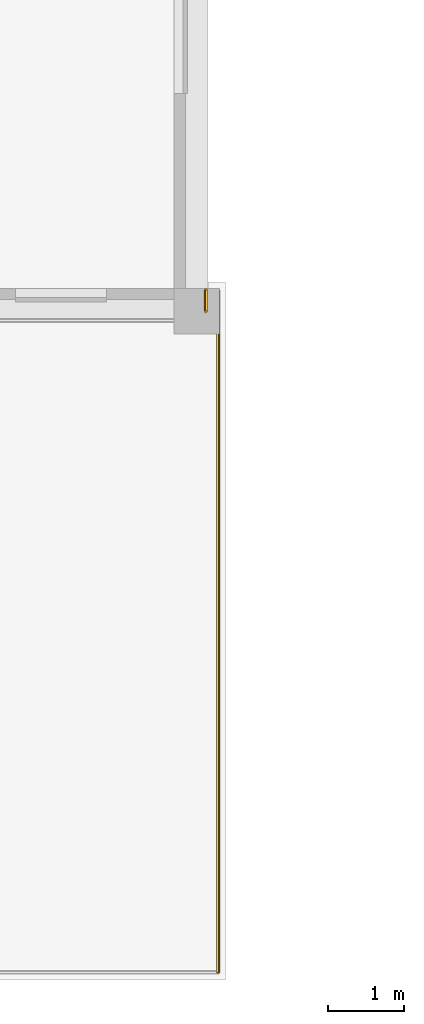
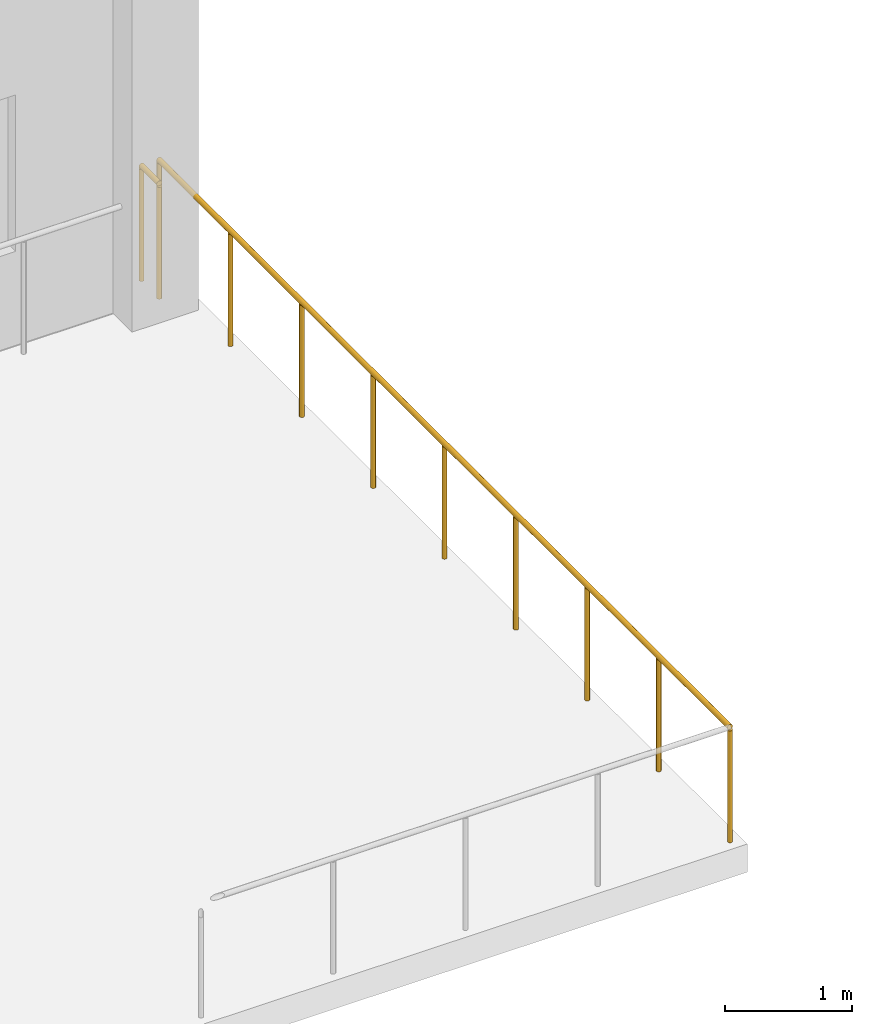
# One storey, part 20 of 25: 2 railings.
"""IFC4 building model written with IfcOpenShell, lengths in metres."""

import ifcopenshell
import ifcopenshell.guid

model = None  # the IFC model being written
_history = None  # IfcOwnerHistory: only IFC2X3 demands one
_inside = {}  # id of a spatial element -> (the spatial element, [elements in it])
_under = {}  # id of a project, library or spatial element -> (it, [spatial elements below it])
_declared = {}  # id of a project -> (the project, [libraries it declares])
_typed = {}  # id of a type object -> (the type object, [elements of that type])
_made_of = {}  # id of a material, layer set ... -> (it, [elements and type objects made of it])


def new_model(schema):
    """Start an empty IFC model of exactly this schema.

    Asked for "IFC4X3", IfcOpenShell would pick the latest addendum, in which some entities
    have other attributes; the version numbers below select the first issue.
    IFC2X3 requires an IfcOwnerHistory on every rooted entity: one is made here for all.
    """
    global model, _history
    if schema == "IFC4X3":
        model = ifcopenshell.file(schema_version=(4, 3, 0, 0))
    else:
        model = ifcopenshell.file(schema=schema)
    _inside.clear()
    _under.clear()
    _declared.clear()
    _typed.clear()
    _made_of.clear()
    _history = None
    if model.schema == "IFC2X3":
        org = make("IfcOrganization", Name="unknown")
        user = make(
            "IfcPersonAndOrganization",
            ThePerson=make("IfcPerson", FamilyName="unknown"),
            TheOrganization=org,
        )
        app = make(
            "IfcApplication",
            ApplicationDeveloper=org,
            Version="unknown",
            ApplicationFullName="unknown",
            ApplicationIdentifier="unknown",
        )
        _history = make(
            "IfcOwnerHistory",
            OwningUser=user,
            OwningApplication=app,
            ChangeAction="ADDED",
            CreationDate=0,
        )
    return model


def make(cls, **values):
    """One entity of the class cls with the attributes given. An attribute that is None is left unset."""
    return model.create_entity(
        cls, **{name: value for name, value in values.items() if value is not None}
    )


def rooted(cls, **values):
    """An entity with a GlobalId (a new one), such as an element, a storey or a relation."""
    return make(cls, GlobalId=ifcopenshell.guid.new(), OwnerHistory=_history, **values)


def si_unit(unit_type, name, prefix=None):
    """IfcSIUnit, for example si_unit("LENGTHUNIT", "METRE", prefix="MILLI")."""
    return make("IfcSIUnit", UnitType=unit_type, Prefix=prefix, Name=name)


def assignment(units):
    """IfcUnitAssignment: the units of a project."""
    return None if units is None else make("IfcUnitAssignment", Units=units)


def point(xyz):
    """IfcCartesianPoint."""
    return None if xyz is None else make("IfcCartesianPoint", Coordinates=xyz)


def direction(xyz):
    """IfcDirection."""
    return None if xyz is None else make("IfcDirection", DirectionRatios=xyz)


def frame(location, z_axis=None, x_axis=None):
    """IfcAxis2Placement3D, a coordinate frame: its origin and axes. An axis left out is left unset."""
    return make(
        "IfcAxis2Placement3D",
        Location=point(location),
        Axis=direction(z_axis),
        RefDirection=direction(x_axis),
    )


def frame_2d(location, x_axis=None):
    """IfcAxis2Placement2D, a coordinate frame in the plane: its origin and x axis."""
    return make(
        "IfcAxis2Placement2D", Location=point(location), RefDirection=direction(x_axis)
    )


def origin():
    """The frame at (0, 0, 0) with its axes left unset."""
    return frame((0.0, 0.0, 0.0))


def origin_2d():
    """The frame at (0, 0) in the plane with its x axis left unset."""
    return frame_2d((0.0, 0.0))


def place(relative_to, where):
    """IfcLocalPlacement: puts the frame where relative to a parent placement (None: the world)."""
    return make(
        "IfcLocalPlacement", PlacementRelTo=relative_to, RelativePlacement=where
    )


def context(
    kind, dimensions, precision=None, world=None, true_north=None, identifier=None
):
    """IfcGeometricRepresentationContext, for example the 3D "Model" context."""
    return make(
        "IfcGeometricRepresentationContext",
        ContextIdentifier=identifier,
        ContextType=kind,
        CoordinateSpaceDimension=dimensions,
        Precision=precision,
        WorldCoordinateSystem=world,
        TrueNorth=true_north,
    )


def subcontext(parent, identifier, kind, view, scale=None):
    """IfcGeometricRepresentationSubContext, for example "Body" below "Model"."""
    return make(
        "IfcGeometricRepresentationSubContext",
        ContextIdentifier=identifier,
        ContextType=kind,
        ParentContext=parent,
        TargetScale=scale,
        TargetView=view,
    )


def project(units=None, contexts=None):
    """IfcProject with its units and contexts."""
    return rooted(
        "IfcProject",
        Name="project",
        RepresentationContexts=contexts,
        UnitsInContext=assignment(units),
    )


def spatial(cls, under=None, at=None, **own):
    """A site, building, storey or space (cls), placed at a placement, below another one or the project."""
    s = rooted(cls, ObjectPlacement=at, **own)
    if under is not None:
        _under.setdefault(under.id(), (under, []))[1].append(s)
    return s


def profile(cls, at=None, kind="AREA", **sizes):
    """A parametric profile (cls). Its sizes go by their IFC names, for example OverallWidth=200.0."""
    return make(cls, ProfileType=kind, Position=at, **sizes)


def circle(**sizes):
    """IfcCircleProfileDef."""
    return profile("IfcCircleProfileDef", **sizes)


def extrude(swept, where, along, depth):
    """IfcExtrudedAreaSolid: the profile swept, set in the frame where, extruded along a direction by depth."""
    return make(
        "IfcExtrudedAreaSolid",
        SweptArea=swept,
        Position=where,
        ExtrudedDirection=direction(along),
        Depth=depth,
    )


def shape(context_of_items, identifier, shape_type, items):
    """IfcShapeRepresentation: the items that make up one representation, for example the "Body"."""
    return make(
        "IfcShapeRepresentation",
        ContextOfItems=context_of_items,
        RepresentationIdentifier=identifier,
        RepresentationType=shape_type,
        Items=items,
    )


def material(Name=None, Category=None):
    """IfcMaterial."""
    return make("IfcMaterial", Name=Name, Category=Category)


def layer(
    of_material, thickness, ventilated=None, Name=None, Category=None, Priority=None
):
    """IfcMaterialLayer: one layer of a wall or slab, of a material (None: an air gap)."""
    return make(
        "IfcMaterialLayer",
        Material=of_material,
        LayerThickness=thickness,
        IsVentilated=ventilated,
        Name=Name,
        Category=Category,
        Priority=Priority,
    )


def layer_set(layers, Name=None):
    """IfcMaterialLayerSet."""
    return make("IfcMaterialLayerSet", MaterialLayers=layers, LayerSetName=Name)


def made_of(thing, what):
    """Note that an element or type object is made of a material, layer set ...; save() writes the relation."""
    if what is not None:
        _made_of.setdefault(what.id(), (what, []))[1].append(thing)
    return thing


def type_object(cls, material=None, **own):
    """A type object (cls), such as IfcWallType, which elements share."""
    return made_of(rooted(cls, **own), material)


def element(
    cls,
    number,
    at=None,
    inside=None,
    cuts=None,
    type_object=None,
    material=None,
    context=None,
    identifier="Body",
    shape_type=None,
    held_by="IfcProductDefinitionShape",
    body=None,
    shapes=None,
    **own,
):
    """One element of the class cls, such as IfcWall. Its Tag is "e" and its number.

    at: its placement. inside: the storey or other place that contains it. cuts: it is an
    opening in that element (IfcRelVoidsElement). A single representation is given by context,
    identifier, shape_type and body (its items); several are given by shapes. held_by: the class
    of the entity that holds the representations. save() writes the other relations.
    """
    e = rooted(cls, Tag="e%d" % number, ObjectPlacement=at, **own)
    if body is not None:
        shapes = [shape(context, identifier, shape_type, body)]
    if shapes is not None:
        e.Representation = make(held_by, Representations=shapes)
    if inside is not None:
        _inside.setdefault(inside.id(), (inside, []))[1].append(e)
    if cuts is not None:
        rooted(
            "IfcRelVoidsElement", RelatingBuildingElement=cuts, RelatedOpeningElement=e
        )
    if type_object is not None:
        _typed.setdefault(type_object.id(), (type_object, []))[1].append(e)
    return made_of(e, material)


def aggregate(whole, parts):
    """IfcRelAggregates: a whole, such as a stair, and the parts it consists of."""
    return rooted("IfcRelAggregates", RelatingObject=whole, RelatedObjects=parts)


def save(model, path):
    """Write the relations noted so far, then the file.

    IfcRelAggregates (storeys below a building ...), IfcRelContainedInSpatialStructure (elements
    in a storey), IfcRelDefinesByType, IfcRelAssociatesMaterial and IfcRelDeclares: one each for
    every whole, place, type object, material and project.
    """
    for whole, parts in _under.values():
        aggregate(whole, parts)
    for where, things in _inside.values():
        rooted(
            "IfcRelContainedInSpatialStructure",
            RelatedElements=things,
            RelatingStructure=where,
        )
    for kind, things in _typed.values():
        rooted("IfcRelDefinesByType", RelatedObjects=things, RelatingType=kind)
    for what, things in _made_of.values():
        rooted("IfcRelAssociatesMaterial", RelatedObjects=things, RelatingMaterial=what)
    for by, libraries in _declared.values():
        rooted("IfcRelDeclares", RelatingContext=by, RelatedDefinitions=libraries)
    model.write(path)


model = new_model("IFC4")

# Units and contexts
model_context = context("Model", 3, precision=1e-05, world=origin(), true_north=direction((0.0, 1.0)))
body_context = subcontext(model_context, "Body", "Model", "MODEL_VIEW")
ifc_project = project(units=[si_unit("LENGTHUNIT", "METRE"), si_unit("AREAUNIT", "SQUARE_METRE"), si_unit("VOLUMEUNIT", "CUBIC_METRE"), si_unit("PLANEANGLEUNIT", "RADIAN"), si_unit("MASSUNIT", "GRAM", prefix="KILO")], contexts=[model_context])

# Site, building, storey
site_placement = place(None, origin())
site = spatial("IfcSite", under=ifc_project, at=site_placement, CompositionType="ELEMENT")
building_placement = place(site_placement, origin())
building = spatial("IfcBuilding", under=site, at=building_placement, Name="Kolvaren Faculty of Natural Sciences", CompositionType="ELEMENT")
storey_placement = place(building_placement, frame((0.0, 0.0, 19.5)))
storey = spatial("IfcBuildingStorey", under=building, at=storey_placement, Name="L04", CompositionType="ELEMENT", Elevation=19.5)

# Railings
ifc_material = material(Name="Structural steel EN 10210-1 S355J2H", Category="steel")
ifc_layer = layer(ifc_material, 0.048095703125)
ifc_layer_set = layer_set([ifc_layer], Name="Structural steel EN 10210-1 S355J2H")
railing_type = type_object("IfcRailingType", Name="GuardRailing_GRD110", PredefinedType="BALUSTRADE", material=ifc_layer_set)
railing_1_placement = place(storey_placement, frame((39.919921875, 17.0, 0.0)))
element("IfcRailing", 1, at=railing_1_placement, inside=storey, type_object=railing_type, Name="L04 West Laboratory South Garden Roof Terrace perimeter balustrade 13", PredefinedType="BALUSTRADE", context=body_context, shape_type="SweptSolid", body=[
    extrude(circle(Radius=0.02392578125, at=origin_2d()), frame((0.0, 0.0, 1.09619140625), z_axis=(0.0, 1.0, 0.0), x_axis=(-1.0, 0.0, 0.0)), (0.0, 0.0, 1.0), 0.280029296875),
    extrude(circle(Radius=0.02099609375, at=origin_2d()), origin(), (0.0, 0.0, 1.0), 1.072021484375),
    extrude(circle(Radius=0.02099609375, at=origin_2d()), frame((0.0, 0.280029296875, 0.0)), (0.0, 0.0, 1.0), 1.072021484375),
])
railing_2_placement = place(storey_placement, frame((40.080078125, 17.280029296875, 0.0)))
element("IfcRailing", 2, at=railing_2_placement, inside=storey, type_object=railing_type, Name="L04 West Laboratory South Garden Roof Terrace perimeter balustrade 14", PredefinedType="BALUSTRADE", context=body_context, shape_type="SweptSolid", body=[
    extrude(circle(Radius=0.02392578125, at=origin_2d()), frame((0.0, 0.0, 1.09619140625), z_axis=(0.0, -1.0, 0.0), x_axis=(1.0, 0.0, 0.0)), (0.0, 0.0, 1.0), 8.9599609375),
    extrude(circle(Radius=0.02099609375, at=origin_2d()), origin(), (0.0, 0.0, 1.0), 1.072021484375),
    extrude(circle(Radius=0.02099609375, at=origin_2d()), frame((0.0, -1.1201171875, 0.0)), (0.0, 0.0, 1.0), 1.072021484375),
    extrude(circle(Radius=0.02099609375, at=origin_2d()), frame((0.0, -2.239990234375, 0.0)), (0.0, 0.0, 1.0), 1.072021484375),
    extrude(circle(Radius=0.02099609375, at=origin_2d()), frame((0.0, -3.35986328125, 0.0)), (0.0, 0.0, 1.0), 1.072021484375),
    extrude(circle(Radius=0.02099609375, at=origin_2d()), frame((0.0, -4.47998046875, 0.0)), (0.0, 0.0, 1.0), 1.072021484375),
    extrude(circle(Radius=0.02099609375, at=origin_2d()), frame((0.0, -5.60009765625, 0.0)), (0.0, 0.0, 1.0), 1.072021484375),
    extrude(circle(Radius=0.02099609375, at=origin_2d()), frame((0.0, -6.719970703125, 0.0)), (0.0, 0.0, 1.0), 1.072021484375),
    extrude(circle(Radius=0.02099609375, at=origin_2d()), frame((0.0, -7.83984375, 0.0)), (0.0, 0.0, 1.0), 1.072021484375),
    extrude(circle(Radius=0.02099609375, at=origin_2d()), frame((0.0, -8.9599609375, 0.0)), (0.0, 0.0, 1.0), 1.072021484375),
])

save(model, "model.ifc")
